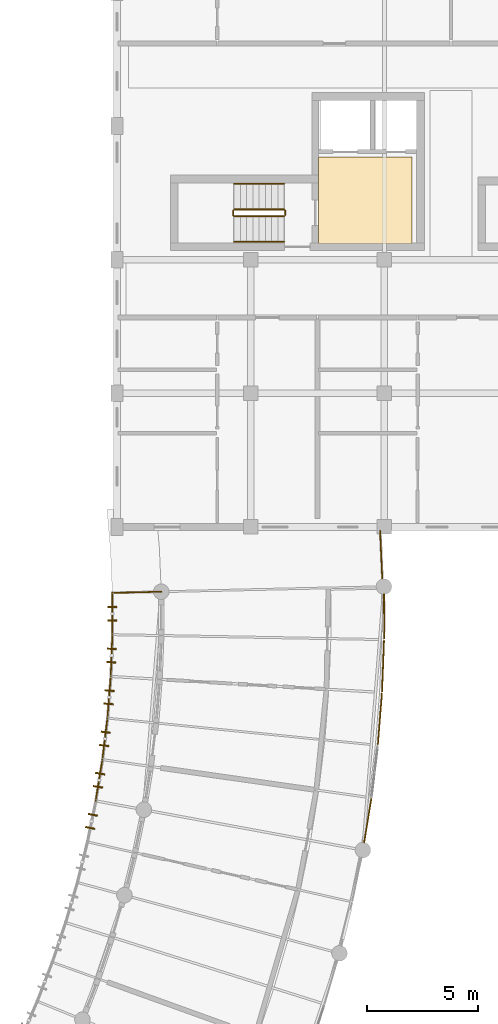
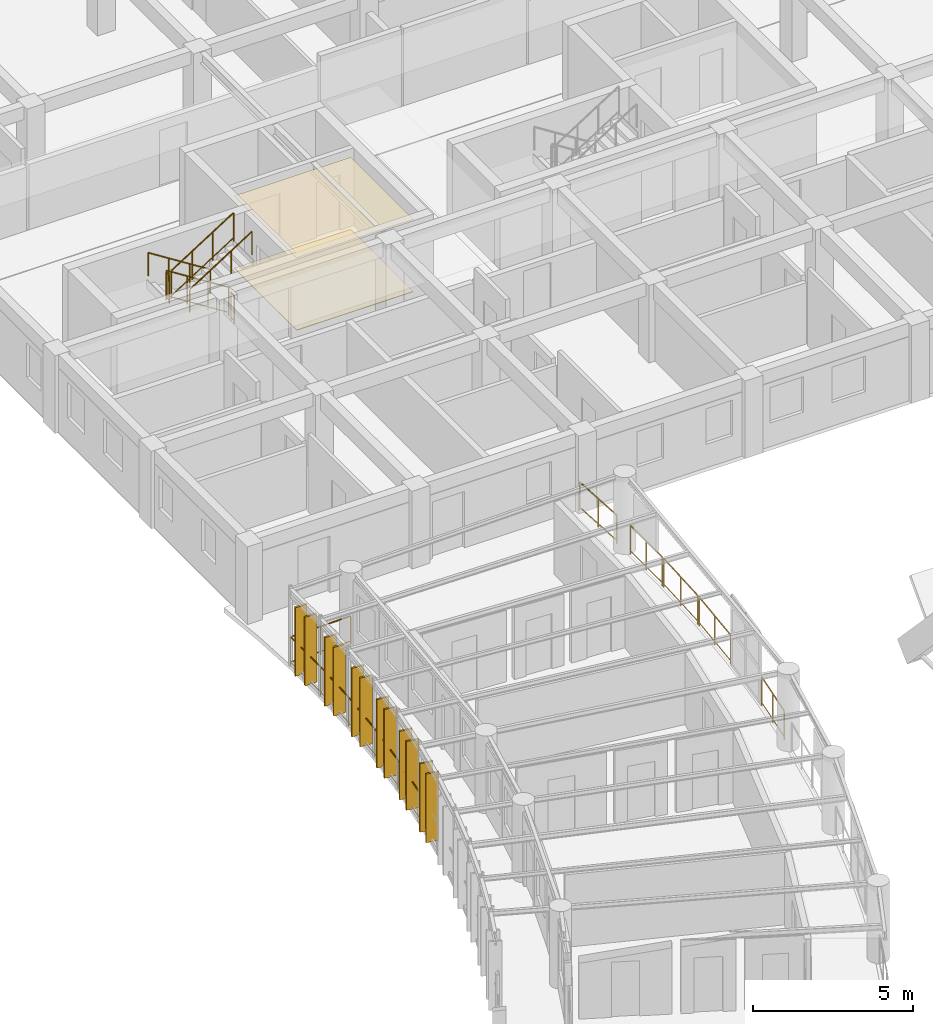
# One storey, part 116 of 123: 17 railings, 12 shading devices, 2 coverings.
"""IFC4 building model written with IfcOpenShell, lengths in metres."""

import ifcopenshell
import ifcopenshell.guid

model = None  # the IFC model being written
_history = None  # IfcOwnerHistory: only IFC2X3 demands one
_inside = {}  # id of a spatial element -> (the spatial element, [elements in it])
_under = {}  # id of a project, library or spatial element -> (it, [spatial elements below it])
_declared = {}  # id of a project -> (the project, [libraries it declares])
_typed = {}  # id of a type object -> (the type object, [elements of that type])
_made_of = {}  # id of a material, layer set ... -> (it, [elements and type objects made of it])


def new_model(schema):
    """Start an empty IFC model of exactly this schema.

    Asked for "IFC4X3", IfcOpenShell would pick the latest addendum, in which some entities
    have other attributes; the version numbers below select the first issue.
    IFC2X3 requires an IfcOwnerHistory on every rooted entity: one is made here for all.
    """
    global model, _history
    if schema == "IFC4X3":
        model = ifcopenshell.file(schema_version=(4, 3, 0, 0))
    else:
        model = ifcopenshell.file(schema=schema)
    _inside.clear()
    _under.clear()
    _declared.clear()
    _typed.clear()
    _made_of.clear()
    _history = None
    if model.schema == "IFC2X3":
        org = make("IfcOrganization", Name="unknown")
        user = make(
            "IfcPersonAndOrganization",
            ThePerson=make("IfcPerson", FamilyName="unknown"),
            TheOrganization=org,
        )
        app = make(
            "IfcApplication",
            ApplicationDeveloper=org,
            Version="unknown",
            ApplicationFullName="unknown",
            ApplicationIdentifier="unknown",
        )
        _history = make(
            "IfcOwnerHistory",
            OwningUser=user,
            OwningApplication=app,
            ChangeAction="ADDED",
            CreationDate=0,
        )
    return model


def make(cls, **values):
    """One entity of the class cls with the attributes given. An attribute that is None is left unset."""
    return model.create_entity(
        cls, **{name: value for name, value in values.items() if value is not None}
    )


def rooted(cls, **values):
    """An entity with a GlobalId (a new one), such as an element, a storey or a relation."""
    return make(cls, GlobalId=ifcopenshell.guid.new(), OwnerHistory=_history, **values)


def si_unit(unit_type, name, prefix=None):
    """IfcSIUnit, for example si_unit("LENGTHUNIT", "METRE", prefix="MILLI")."""
    return make("IfcSIUnit", UnitType=unit_type, Prefix=prefix, Name=name)


def assignment(units):
    """IfcUnitAssignment: the units of a project."""
    return None if units is None else make("IfcUnitAssignment", Units=units)


def point(xyz):
    """IfcCartesianPoint."""
    return None if xyz is None else make("IfcCartesianPoint", Coordinates=xyz)


def direction(xyz):
    """IfcDirection."""
    return None if xyz is None else make("IfcDirection", DirectionRatios=xyz)


def frame(location, z_axis=None, x_axis=None):
    """IfcAxis2Placement3D, a coordinate frame: its origin and axes. An axis left out is left unset."""
    return make(
        "IfcAxis2Placement3D",
        Location=point(location),
        Axis=direction(z_axis),
        RefDirection=direction(x_axis),
    )


def frame_2d(location, x_axis=None):
    """IfcAxis2Placement2D, a coordinate frame in the plane: its origin and x axis."""
    return make(
        "IfcAxis2Placement2D", Location=point(location), RefDirection=direction(x_axis)
    )


def origin():
    """The frame at (0, 0, 0) with its axes left unset."""
    return frame((0.0, 0.0, 0.0))


def origin_2d():
    """The frame at (0, 0) in the plane with its x axis left unset."""
    return frame_2d((0.0, 0.0))


def place(relative_to, where):
    """IfcLocalPlacement: puts the frame where relative to a parent placement (None: the world)."""
    return make(
        "IfcLocalPlacement", PlacementRelTo=relative_to, RelativePlacement=where
    )


def context(
    kind, dimensions, precision=None, world=None, true_north=None, identifier=None
):
    """IfcGeometricRepresentationContext, for example the 3D "Model" context."""
    return make(
        "IfcGeometricRepresentationContext",
        ContextIdentifier=identifier,
        ContextType=kind,
        CoordinateSpaceDimension=dimensions,
        Precision=precision,
        WorldCoordinateSystem=world,
        TrueNorth=true_north,
    )


def subcontext(parent, identifier, kind, view, scale=None):
    """IfcGeometricRepresentationSubContext, for example "Body" below "Model"."""
    return make(
        "IfcGeometricRepresentationSubContext",
        ContextIdentifier=identifier,
        ContextType=kind,
        ParentContext=parent,
        TargetScale=scale,
        TargetView=view,
    )


def project(units=None, contexts=None):
    """IfcProject with its units and contexts."""
    return rooted(
        "IfcProject",
        Name="project",
        RepresentationContexts=contexts,
        UnitsInContext=assignment(units),
    )


def spatial(cls, under=None, at=None, **own):
    """A site, building, storey or space (cls), placed at a placement, below another one or the project."""
    s = rooted(cls, ObjectPlacement=at, **own)
    if under is not None:
        _under.setdefault(under.id(), (under, []))[1].append(s)
    return s


def polyline(points):
    """IfcPolyline through the points."""
    return make("IfcPolyline", Points=[point(p) for p in points])


def profile(cls, at=None, kind="AREA", **sizes):
    """A parametric profile (cls). Its sizes go by their IFC names, for example OverallWidth=200.0."""
    return make(cls, ProfileType=kind, Position=at, **sizes)


def rectangle(**sizes):
    """IfcRectangleProfileDef."""
    return profile("IfcRectangleProfileDef", **sizes)


def circle(**sizes):
    """IfcCircleProfileDef."""
    return profile("IfcCircleProfileDef", **sizes)


def outline(outer, holes=None, kind="AREA"):
    """IfcArbitraryClosedProfileDef: a profile drawn as a closed curve; with holes, ...WithVoids."""
    if holes is None:
        return make("IfcArbitraryClosedProfileDef", ProfileType=kind, OuterCurve=outer)
    return make(
        "IfcArbitraryProfileDefWithVoids",
        ProfileType=kind,
        OuterCurve=outer,
        InnerCurves=holes,
    )


def extrude(swept, where, along, depth):
    """IfcExtrudedAreaSolid: the profile swept, set in the frame where, extruded along a direction by depth."""
    return make(
        "IfcExtrudedAreaSolid",
        SweptArea=swept,
        Position=where,
        ExtrudedDirection=direction(along),
        Depth=depth,
    )


def shape(context_of_items, identifier, shape_type, items):
    """IfcShapeRepresentation: the items that make up one representation, for example the "Body"."""
    return make(
        "IfcShapeRepresentation",
        ContextOfItems=context_of_items,
        RepresentationIdentifier=identifier,
        RepresentationType=shape_type,
        Items=items,
    )


def material(Name=None, Category=None):
    """IfcMaterial."""
    return make("IfcMaterial", Name=Name, Category=Category)


def layer(
    of_material, thickness, ventilated=None, Name=None, Category=None, Priority=None
):
    """IfcMaterialLayer: one layer of a wall or slab, of a material (None: an air gap)."""
    return make(
        "IfcMaterialLayer",
        Material=of_material,
        LayerThickness=thickness,
        IsVentilated=ventilated,
        Name=Name,
        Category=Category,
        Priority=Priority,
    )


def layer_set(layers, Name=None):
    """IfcMaterialLayerSet."""
    return make("IfcMaterialLayerSet", MaterialLayers=layers, LayerSetName=Name)


def made_of(thing, what):
    """Note that an element or type object is made of a material, layer set ...; save() writes the relation."""
    if what is not None:
        _made_of.setdefault(what.id(), (what, []))[1].append(thing)
    return thing


def type_object(cls, material=None, **own):
    """A type object (cls), such as IfcWallType, which elements share."""
    return made_of(rooted(cls, **own), material)


def element(
    cls,
    number,
    at=None,
    inside=None,
    cuts=None,
    type_object=None,
    material=None,
    context=None,
    identifier="Body",
    shape_type=None,
    held_by="IfcProductDefinitionShape",
    body=None,
    shapes=None,
    **own,
):
    """One element of the class cls, such as IfcWall. Its Tag is "e" and its number.

    at: its placement. inside: the storey or other place that contains it. cuts: it is an
    opening in that element (IfcRelVoidsElement). A single representation is given by context,
    identifier, shape_type and body (its items); several are given by shapes. held_by: the class
    of the entity that holds the representations. save() writes the other relations.
    """
    e = rooted(cls, Tag="e%d" % number, ObjectPlacement=at, **own)
    if body is not None:
        shapes = [shape(context, identifier, shape_type, body)]
    if shapes is not None:
        e.Representation = make(held_by, Representations=shapes)
    if inside is not None:
        _inside.setdefault(inside.id(), (inside, []))[1].append(e)
    if cuts is not None:
        rooted(
            "IfcRelVoidsElement", RelatingBuildingElement=cuts, RelatedOpeningElement=e
        )
    if type_object is not None:
        _typed.setdefault(type_object.id(), (type_object, []))[1].append(e)
    return made_of(e, material)


def aggregate(whole, parts):
    """IfcRelAggregates: a whole, such as a stair, and the parts it consists of."""
    return rooted("IfcRelAggregates", RelatingObject=whole, RelatedObjects=parts)


def save(model, path):
    """Write the relations noted so far, then the file.

    IfcRelAggregates (storeys below a building ...), IfcRelContainedInSpatialStructure (elements
    in a storey), IfcRelDefinesByType, IfcRelAssociatesMaterial and IfcRelDeclares: one each for
    every whole, place, type object, material and project.
    """
    for whole, parts in _under.values():
        aggregate(whole, parts)
    for where, things in _inside.values():
        rooted(
            "IfcRelContainedInSpatialStructure",
            RelatedElements=things,
            RelatingStructure=where,
        )
    for kind, things in _typed.values():
        rooted("IfcRelDefinesByType", RelatedObjects=things, RelatingType=kind)
    for what, things in _made_of.values():
        rooted("IfcRelAssociatesMaterial", RelatedObjects=things, RelatingMaterial=what)
    for by, libraries in _declared.values():
        rooted("IfcRelDeclares", RelatingContext=by, RelatedDefinitions=libraries)
    model.write(path)


model = new_model("IFC4")

# Units and contexts
model_context = context("Model", 3, precision=1e-05, world=origin(), true_north=direction((0.0, 1.0)))
body_context = subcontext(model_context, "Body", "Model", "MODEL_VIEW")
ifc_project = project(units=[si_unit("LENGTHUNIT", "METRE"), si_unit("AREAUNIT", "SQUARE_METRE"), si_unit("VOLUMEUNIT", "CUBIC_METRE"), si_unit("PLANEANGLEUNIT", "RADIAN"), si_unit("MASSUNIT", "GRAM", prefix="KILO"), si_unit("POWERUNIT", "WATT"), si_unit("THERMODYNAMICTEMPERATUREUNIT", "KELVIN")], contexts=[model_context])

# Site, building, storey
site_placement = place(None, origin())
site = spatial("IfcSite", under=ifc_project, at=site_placement, CompositionType="ELEMENT")
building_placement = place(site_placement, origin())
building = spatial("IfcBuilding", under=site, at=building_placement, Name="Ruvembo Vaulted Housing Court", CompositionType="ELEMENT")
storey_placement = place(building_placement, frame((0.0, 0.0, 7.699951171875)))
storey = spatial("IfcBuildingStorey", under=building, at=storey_placement, Name="L02", CompositionType="ELEMENT", Elevation=7.699951171875)

# Coverings
ifc_material_1 = material(Name="Perforated Mineral-Fibre Acoustic Tile", Category="gypsum")
ifc_layer_1 = layer(ifc_material_1, 0.02001953125, Name="Perforated Mineral-Fibre Acoustic Tile")
ifc_layer_set_1 = layer_set([ifc_layer_1], Name="Perforated Mineral-Fibre Acoustic Tile")
covering_type_1 = type_object("IfcCoveringType", Name="COV-CEIL-ACOUST", PredefinedType="CEILING", material=ifc_layer_set_1)
covering_1_placement = place(storey_placement, frame((0.0, 0.0, 2.75)))
element("IfcCovering", 1, at=covering_1_placement, inside=storey, type_object=covering_type_1, Name="Protected Core Lobby B1 Ceiling", PredefinedType="CEILING", context=body_context, shape_type="SweptSolid", body=[
    extrude(outline(polyline([(61.25, 94.60009765625), (57.050048828125, 94.60009765625), (57.050048828125, 90.699951171875), (61.25, 90.699951171875), (61.25, 94.60009765625)])), origin(), (0.0, 0.0, 1.0), 0.02001953125),
])
ifc_material_2 = material(Name="Polished Cement-Aggregate Terrazzo", Category="stone")
ifc_layer_2 = layer(ifc_material_2, 0.02197265625, Name="Polished Cement-Aggregate Terrazzo")
ifc_layer_set_2 = layer_set([ifc_layer_2], Name="Polished Cement-Aggregate Terrazzo")
covering_type_2 = type_object("IfcCoveringType", Name="COV-FLR-CERAMIC", PredefinedType="FLOORING", material=ifc_layer_set_2)
covering_2_placement = place(storey_placement, origin())
element("IfcCovering", 2, at=covering_2_placement, inside=storey, type_object=covering_type_2, Name="Protected Core Lobby B1 Flooring", PredefinedType="FLOORING", context=body_context, shape_type="SweptSolid", body=[
    extrude(outline(polyline([(61.25, 94.60009765625), (57.050048828125, 94.60009765625), (57.050048828125, 90.699951171875), (61.25, 90.699951171875), (61.25, 94.60009765625)])), origin(), (0.0, 0.0, 1.0), 0.02197265625),
])

# Railings
ifc_material_3 = material(Name="Galvanised Painted Steel and Laminated Glass", Category="steel")
ifc_layer_3 = layer(ifc_material_3, 0.070068359375, Name="Galvanised Painted Steel and Laminated Glass")
ifc_layer_set_3 = layer_set([ifc_layer_3], Name="Galvanised Painted Steel and Laminated Glass")
railing_type_1 = type_object("IfcRailingType", Name="RL-BALUST-1120", PredefinedType="BALUSTRADE", material=ifc_layer_set_3)
railing_1_placement = place(storey_placement, frame((59.09716796875, 63.8408203125, 0.0)))
element("IfcRailing", 3, at=railing_1_placement, inside=storey, type_object=railing_type_1, Name="L02 Perimeter Guard RL-EXT-L02-0084", PredefinedType="BALUSTRADE", context=body_context, shape_type="SweptSolid", body=[
    extrude(circle(Radius=0.02392578125, at=origin_2d()), frame((0.0, 0.0, 1.09619140625), z_axis=(0.160952647664, 0.986962129572, 0.0), x_axis=(-0.986962129572, 0.160952647664, 0.0)), (0.0, 0.0, 1.0), 1.9765625),
    extrude(circle(Radius=0.01806640625, at=origin_2d()), frame((0.0, 0.0, 0.1201171875), z_axis=(0.160952647664, 0.986962129572, 0.0), x_axis=(-0.986962129572, 0.160952647664, 0.0)), (0.0, 0.0, 1.0), 1.9765625),
    extrude(circle(Radius=0.02099609375, at=origin_2d()), origin(), (0.0, 0.0, 1.0), 1.072021484375),
    extrude(circle(Radius=0.02099609375, at=origin_2d()), frame((0.1591796875, 0.975341796875, 0.0)), (0.0, 0.0, 1.0), 1.072021484375),
    extrude(circle(Radius=0.02099609375, at=origin_2d()), frame((0.318115234375, 1.95068359375, 0.0)), (0.0, 0.0, 1.0), 1.072021484375),
])
railing_2_placement = place(storey_placement, frame((59.71337890625, 68.249755859375, 0.0)))
element("IfcRailing", 4, at=railing_2_placement, inside=storey, type_object=railing_type_1, Name="L02 Perimeter Guard RL-EXT-L02-0085", PredefinedType="BALUSTRADE", context=body_context, shape_type="SweptSolid", body=[
    extrude(circle(Radius=0.02392578125, at=origin_2d()), frame((0.0, 0.0, 1.09619140625), z_axis=(0.079459662102, 0.996838082187, 0.0), x_axis=(-0.996838082187, 0.079459662102, 0.0)), (0.0, 0.0, 1.0), 2.276611328125),
    extrude(circle(Radius=0.01806640625, at=origin_2d()), frame((0.0, 0.0, 0.1201171875), z_axis=(0.079459662102, 0.996838082187, 0.0), x_axis=(-0.996838082187, 0.079459662102, 0.0)), (0.0, 0.0, 1.0), 2.276611328125),
    extrude(circle(Radius=0.02099609375, at=origin_2d()), origin(), (0.0, 0.0, 1.0), 1.072021484375),
    extrude(circle(Radius=0.02099609375, at=origin_2d()), frame((0.09033203125, 1.134765625, 0.0)), (0.0, 0.0, 1.0), 1.072021484375),
    extrude(circle(Radius=0.02099609375, at=origin_2d()), frame((0.180908203125, 2.26953125, 0.0)), (0.0, 0.0, 1.0), 1.072021484375),
])
railing_3_placement = place(storey_placement, frame((59.900390625, 70.618896484375, 0.0)))
element("IfcRailing", 5, at=railing_3_placement, inside=storey, type_object=railing_type_1, Name="L02 Perimeter Guard RL-EXT-L02-0086", PredefinedType="BALUSTRADE", context=body_context, shape_type="SweptSolid", body=[
    extrude(circle(Radius=0.02392578125, at=origin_2d()), frame((0.0, 0.0, 1.09619140625), z_axis=(0.038713176798, 0.999250363994, 0.0), x_axis=(-0.999250363994, 0.038713176798, 0.0)), (0.0, 0.0, 1.0), 2.276611328125),
    extrude(circle(Radius=0.01806640625, at=origin_2d()), frame((0.0, 0.0, 0.1201171875), z_axis=(0.038713176798, 0.999250363994, 0.0), x_axis=(-0.999250363994, 0.038713176798, 0.0)), (0.0, 0.0, 1.0), 2.276611328125),
    extrude(circle(Radius=0.02099609375, at=origin_2d()), origin(), (0.0, 0.0, 1.0), 1.072021484375),
    extrude(circle(Radius=0.02099609375, at=origin_2d()), frame((0.0439453125, 1.137451171875, 0.0)), (0.0, 0.0, 1.0), 1.072021484375),
    extrude(circle(Radius=0.02099609375, at=origin_2d()), frame((0.088134765625, 2.27490234375, 0.0)), (0.0, 0.0, 1.0), 1.072021484375),
])
railing_4_placement = place(storey_placement, frame((59.990234375, 72.993896484375, 0.0)))
element("IfcRailing", 6, at=railing_4_placement, inside=storey, type_object=railing_type_1, Name="L02 Perimeter Guard RL-EXT-L02-0087", PredefinedType="BALUSTRADE", context=body_context, shape_type="SweptSolid", body=[
    extrude(circle(Radius=0.02392578125, at=origin_2d()), frame((0.0, 0.0, 1.09619140625), z_axis=(-0.002223589314, 0.999997527822, 0.0), x_axis=(-0.999997527822, -0.002223589314, 0.0)), (0.0, 0.0, 1.0), 1.976318359375),
    extrude(circle(Radius=0.01806640625, at=origin_2d()), frame((0.0, 0.0, 0.1201171875), z_axis=(-0.002223589314, 0.999997527822, 0.0), x_axis=(-0.999997527822, -0.002223589314, 0.0)), (0.0, 0.0, 1.0), 1.976318359375),
    extrude(circle(Radius=0.02099609375, at=origin_2d()), origin(), (0.0, 0.0, 1.0), 1.072021484375),
    extrude(circle(Radius=0.02099609375, at=origin_2d()), frame((-0.002197265625, 0.98828125, 0.0)), (0.0, 0.0, 1.0), 1.072021484375),
    extrude(circle(Radius=0.02099609375, at=origin_2d()), frame((-0.00439453125, 1.976318359375, 0.0)), (0.0, 0.0, 1.0), 1.072021484375),
])
ifc_material_4 = material(Name="Galvanised Painted Steel S275", Category="steel")
ifc_layer_4 = layer(ifc_material_4, 0.06005859375, Name="Galvanised Painted Steel S275")
ifc_layer_set_4 = layer_set([ifc_layer_4], Name="Galvanised Painted Steel S275")
railing_type_2 = type_object("IfcRailingType", Name="RL-GUARD-1100", PredefinedType="GUARDRAIL", material=ifc_layer_set_4)
railing_5_placement = place(storey_placement, frame((47.04248046875, 65.704833984375, 0.0)))
element("IfcRailing", 7, at=railing_5_placement, inside=storey, type_object=railing_type_2, Name="L02 Perimeter Guard RL-EXT-L02-0067", PredefinedType="GUARDRAIL", context=body_context, shape_type="SweptSolid", body=[
    extrude(circle(Radius=0.02392578125, at=origin_2d()), frame((0.0, 0.0, 1.076171875), z_axis=(0.16093792822, 0.98696452989, 0.0), x_axis=(-0.98696452989, 0.16093792822, 0.0)), (0.0, 0.0, 1.0), 1.87646484375),
    extrude(circle(Radius=0.01806640625, at=origin_2d()), frame((0.0, 0.0, 0.1201171875), z_axis=(0.16093792822, 0.98696452989, 0.0), x_axis=(-0.98696452989, 0.16093792822, 0.0)), (0.0, 0.0, 1.0), 1.87646484375),
    extrude(circle(Radius=0.02099609375, at=origin_2d()), origin(), (0.0, 0.0, 1.0), 1.052001953125),
    extrude(circle(Radius=0.02099609375, at=origin_2d()), frame((0.15087890625, 0.926025390625, 0.0)), (0.0, 0.0, 1.0), 1.052001953125),
    extrude(circle(Radius=0.02099609375, at=origin_2d()), frame((0.302001953125, 1.85205078125, 0.0)), (0.0, 0.0, 1.0), 1.052001953125),
])
railing_6_placement = place(storey_placement, frame((47.344482421875, 67.556884765625, 0.0)))
element("IfcRailing", 8, at=railing_6_placement, inside=storey, type_object=railing_type_2, Name="L02 Perimeter Guard RL-EXT-L02-0068", PredefinedType="GUARDRAIL", context=body_context, shape_type="SweptSolid", body=[
    extrude(circle(Radius=0.02392578125, at=origin_2d()), frame((0.0, 0.0, 1.076171875), z_axis=(0.120335252624, 0.992733311104, 0.0), x_axis=(-0.992733311104, 0.120335252624, 0.0)), (0.0, 0.0, 1.0), 1.876708984375),
    extrude(circle(Radius=0.01806640625, at=origin_2d()), frame((0.0, 0.0, 0.1201171875), z_axis=(0.120335252624, 0.992733311104, 0.0), x_axis=(-0.992733311104, 0.120335252624, 0.0)), (0.0, 0.0, 1.0), 1.876708984375),
    extrude(circle(Radius=0.02099609375, at=origin_2d()), origin(), (0.0, 0.0, 1.0), 1.052001953125),
    extrude(circle(Radius=0.02099609375, at=origin_2d()), frame((0.11279296875, 0.931640625, 0.0)), (0.0, 0.0, 1.0), 1.052001953125),
    extrude(circle(Radius=0.02099609375, at=origin_2d()), frame((0.225830078125, 1.863037109375, 0.0)), (0.0, 0.0, 1.0), 1.052001953125),
])
railing_7_placement = place(storey_placement, frame((47.5703125, 69.419921875, 0.0)))
element("IfcRailing", 9, at=railing_7_placement, inside=storey, type_object=railing_type_2, Name="L02 Perimeter Guard RL-EXT-L02-0069", PredefinedType="GUARDRAIL", context=body_context, shape_type="SweptSolid", body=[
    extrude(circle(Radius=0.02392578125, at=origin_2d()), frame((0.0, 0.0, 1.076171875), z_axis=(0.079610795565, 0.996826023552, 0.0), x_axis=(-0.996826023552, 0.079610795565, 0.0)), (0.0, 0.0, 1.0), 1.876708984375),
    extrude(circle(Radius=0.01806640625, at=origin_2d()), frame((0.0, 0.0, 0.1201171875), z_axis=(0.079610795565, 0.996826023552, 0.0), x_axis=(-0.996826023552, 0.079610795565, 0.0)), (0.0, 0.0, 1.0), 1.876708984375),
    extrude(circle(Radius=0.02099609375, at=origin_2d()), origin(), (0.0, 0.0, 1.0), 1.052001953125),
    extrude(circle(Radius=0.02099609375, at=origin_2d()), frame((0.07470703125, 0.935546875, 0.0)), (0.0, 0.0, 1.0), 1.052001953125),
    extrude(circle(Radius=0.02099609375, at=origin_2d()), frame((0.1494140625, 1.870849609375, 0.0)), (0.0, 0.0, 1.0), 1.052001953125),
])
railing_8_placement = place(storey_placement, frame((47.7197265625, 71.290771484375, 0.0)))
element("IfcRailing", 10, at=railing_8_placement, inside=storey, type_object=railing_type_2, Name="L02 Perimeter Guard RL-EXT-L02-0070", PredefinedType="GUARDRAIL", context=body_context, shape_type="SweptSolid", body=[
    extrude(circle(Radius=0.02392578125, at=origin_2d()), frame((0.0, 0.0, 1.076171875), z_axis=(0.038767865725, 0.999248243725, 0.0), x_axis=(-0.999248243725, 0.038767865725, 0.0)), (0.0, 0.0, 1.0), 1.876708984375),
    extrude(circle(Radius=0.01806640625, at=origin_2d()), frame((0.0, 0.0, 0.1201171875), z_axis=(0.038767865725, 0.999248243725, 0.0), x_axis=(-0.999248243725, 0.038767865725, 0.0)), (0.0, 0.0, 1.0), 1.876708984375),
    extrude(circle(Radius=0.02099609375, at=origin_2d()), origin(), (0.0, 0.0, 1.0), 1.052001953125),
    extrude(circle(Radius=0.02099609375, at=origin_2d()), frame((0.036376953125, 0.9375, 0.0)), (0.0, 0.0, 1.0), 1.052001953125),
    extrude(circle(Radius=0.02099609375, at=origin_2d()), frame((0.07275390625, 1.875244140625, 0.0)), (0.0, 0.0, 1.0), 1.052001953125),
])
railing_9_placement = place(storey_placement, frame((47.79248046875, 73.166015625, 0.0)))
element("IfcRailing", 11, at=railing_9_placement, inside=storey, type_object=railing_type_2, Name="L02 Perimeter Guard RL-EXT-L02-0071", PredefinedType="GUARDRAIL", context=body_context, shape_type="SweptSolid", body=[
    extrude(circle(Radius=0.02392578125, at=origin_2d()), frame((0.0, 0.0, 1.076171875), z_axis=(-0.002341913952, 0.999997257716, 0.0), x_axis=(-0.999997257716, -0.002341913952, 0.0)), (0.0, 0.0, 1.0), 1.87646484375),
    extrude(circle(Radius=0.01806640625, at=origin_2d()), frame((0.0, 0.0, 0.1201171875), z_axis=(-0.002341913952, 0.999997257716, 0.0), x_axis=(-0.999997257716, -0.002341913952, 0.0)), (0.0, 0.0, 1.0), 1.87646484375),
    extrude(circle(Radius=0.02099609375, at=origin_2d()), origin(), (0.0, 0.0, 1.0), 1.052001953125),
    extrude(circle(Radius=0.02099609375, at=origin_2d()), frame((-0.002197265625, 0.938232421875, 0.0)), (0.0, 0.0, 1.0), 1.052001953125),
    extrude(circle(Radius=0.02099609375, at=origin_2d()), frame((-0.00439453125, 1.87646484375, 0.0)), (0.0, 0.0, 1.0), 1.052001953125),
])
railing_10_placement = place(storey_placement, frame((47.7880859375, 75.04248046875, 0.0)))
element("IfcRailing", 12, at=railing_10_placement, inside=storey, type_object=railing_type_2, Name="L02 Perimeter Guard RL-EXT-L02-0072", PredefinedType="GUARDRAIL", context=body_context, shape_type="SweptSolid", body=[
    extrude(circle(Radius=0.02392578125, at=origin_2d()), frame((0.0, 0.0, 1.076171875), z_axis=(0.999741204967, 0.022749133868, 0.0), x_axis=(-0.022749133868, 0.999741204967, 0.0)), (0.0, 0.0, 1.0), 2.199951171875),
    extrude(circle(Radius=0.01806640625, at=origin_2d()), frame((0.0, 0.0, 0.1201171875), z_axis=(0.999741204967, 0.022749133868, 0.0), x_axis=(-0.022749133868, 0.999741204967, 0.0)), (0.0, 0.0, 1.0), 2.199951171875),
    extrude(circle(Radius=0.02099609375, at=origin_2d()), origin(), (0.0, 0.0, 1.0), 1.052001953125),
    extrude(circle(Radius=0.02099609375, at=origin_2d()), frame((1.099609375, 0.02490234375, 0.0)), (0.0, 0.0, 1.0), 1.052001953125),
    extrude(circle(Radius=0.02099609375, at=origin_2d()), frame((2.199462890625, 0.050048828125, 0.0)), (0.0, 0.0, 1.0), 1.052001953125),
])
railing_11_placement = place(storey_placement, frame((59.81103515625, 77.824951171875, 0.0)))
element("IfcRailing", 13, at=railing_11_placement, inside=storey, type_object=railing_type_2, Name="L02 Perimeter Guard RL-EXT-L02-0891", PredefinedType="GUARDRAIL", context=body_context, shape_type="SweptSolid", body=[
    extrude(circle(Radius=0.02392578125, at=origin_2d()), frame((0.0, 0.0, 1.076171875), z_axis=(0.045754430585, -0.998952717641, 0.0), x_axis=(0.998952717641, 0.045754430585, 0.0)), (0.0, 0.0, 1.0), 2.1396484375),
    extrude(circle(Radius=0.01806640625, at=origin_2d()), frame((0.0, 0.0, 0.1201171875), z_axis=(0.045754430585, -0.998952717641, 0.0), x_axis=(0.998952717641, 0.045754430585, 0.0)), (0.0, 0.0, 1.0), 2.1396484375),
    extrude(circle(Radius=0.02099609375, at=origin_2d()), origin(), (0.0, 0.0, 1.0), 1.052001953125),
    extrude(circle(Radius=0.02099609375, at=origin_2d()), frame((0.048828125, -1.06884765625, 0.0)), (0.0, 0.0, 1.0), 1.052001953125),
    extrude(circle(Radius=0.02099609375, at=origin_2d()), frame((0.097900390625, -2.137451171875, 0.0)), (0.0, 0.0, 1.0), 1.052001953125),
])
ifc_material_5 = material(Name="Painted Galvanised Steel S275", Category="steel")
ifc_layer_5 = layer(ifc_material_5, 0.06005859375, Name="Painted Galvanised Steel S275")
ifc_layer_set_5 = layer_set([ifc_layer_5], Name="Painted Galvanised Steel S275")
railing_type_3 = type_object("IfcRailingType", Name="RL-STAIR-GR1100", PredefinedType="GUARDRAIL", material=ifc_layer_set_5)
railing_12_placement = place(storey_placement, frame((55.5, 92.25, 0.177734375)))
element("IfcRailing", 14, at=railing_12_placement, inside=storey, type_object=railing_type_3, Name="L02 ST-B1 stair guard 1", PredefinedType="GUARDRAIL", context=body_context, shape_type="SweptSolid", body=[
    extrude(circle(Radius=0.02392578125, at=origin_2d()), frame((0.0, 0.0, 1.076171875), z_axis=(-0.84418770128, 0.0, 0.536047689118), x_axis=(0.0, -1.0, 0.0)), (0.0, 0.0, 1.0), 2.6533203125),
    extrude(circle(Radius=0.01806640625, at=origin_2d()), frame((0.0, 0.0, 0.1201171875), z_axis=(-0.84418770128, 0.0, 0.536047689118), x_axis=(0.0, -1.0, 0.0)), (0.0, 0.0, 1.0), 2.6533203125),
    extrude(circle(Radius=0.02099609375, at=origin_2d()), origin(), (0.0, 0.0, 1.0), 1.052001953125),
    extrude(circle(Radius=0.02099609375, at=origin_2d()), frame((-0.74658203125, 0.0, 0.47412109375)), (0.0, 0.0, 1.0), 1.052001953125),
    extrude(circle(Radius=0.02099609375, at=origin_2d()), frame((-1.493408203125, 0.0, 0.9482421875)), (0.0, 0.0, 1.0), 1.052001953125),
    extrude(circle(Radius=0.02099609375, at=origin_2d()), frame((-2.239990234375, 0.0, 1.42236328125)), (0.0, 0.0, 1.0), 1.052001953125),
])
railing_13_placement = place(storey_placement, frame((53.2099609375, 92.199951171875, 1.60009765625)))
element("IfcRailing", 15, at=railing_13_placement, inside=storey, type_object=railing_type_3, Name="L02 ST-B1 stair guard 2", PredefinedType="GUARDRAIL", context=body_context, shape_type="SweptSolid", body=[
    extrude(circle(Radius=0.02392578125, at=origin_2d()), frame((0.0, 0.0, 1.076171875), z_axis=(0.0, -1.0, 0.0), x_axis=(1.0, 0.0, 0.0)), (0.0, 0.0, 1.0), 0.199951171875),
    extrude(circle(Radius=0.01806640625, at=origin_2d()), frame((0.0, 0.0, 0.1201171875), z_axis=(0.0, -1.0, 0.0), x_axis=(1.0, 0.0, 0.0)), (0.0, 0.0, 1.0), 0.199951171875),
    extrude(circle(Radius=0.02099609375, at=origin_2d()), origin(), (0.0, 0.0, 1.0), 1.052001953125),
    extrude(circle(Radius=0.02099609375, at=origin_2d()), frame((0.0, -0.199951171875, 0.0)), (0.0, 0.0, 1.0), 1.052001953125),
])
railing_14_placement = place(storey_placement, frame((53.260009765625, 91.949951171875, 1.77783203125)))
element("IfcRailing", 16, at=railing_14_placement, inside=storey, type_object=railing_type_3, Name="L02 ST-B1 stair guard 3", PredefinedType="GUARDRAIL", context=body_context, shape_type="SweptSolid", body=[
    extrude(circle(Radius=0.02392578125, at=origin_2d()), frame((0.0, 0.0, 1.076171875), z_axis=(0.8442293374, 0.0, 0.53598211339), x_axis=(0.0, 1.0, 0.0)), (0.0, 0.0, 1.0), 2.6533203125),
    extrude(circle(Radius=0.01806640625, at=origin_2d()), frame((0.0, 0.0, 0.1201171875), z_axis=(0.8442293374, 0.0, 0.53598211339), x_axis=(0.0, 1.0, 0.0)), (0.0, 0.0, 1.0), 2.6533203125),
    extrude(circle(Radius=0.02099609375, at=origin_2d()), origin(), (0.0, 0.0, 1.0), 1.052001953125),
    extrude(circle(Radius=0.02099609375, at=origin_2d()), frame((0.74658203125, 0.0, 0.47412109375)), (0.0, 0.0, 1.0), 1.052001953125),
    extrude(circle(Radius=0.02099609375, at=origin_2d()), frame((1.493408203125, 0.0, 0.947998046875)), (0.0, 0.0, 1.0), 1.052001953125),
    extrude(circle(Radius=0.02099609375, at=origin_2d()), frame((2.239990234375, 0.0, 1.422119140625)), (0.0, 0.0, 1.0), 1.052001953125),
])
railing_15_placement = place(storey_placement, frame((55.550048828125, 92.199951171875, 0.0)))
element("IfcRailing", 17, at=railing_15_placement, inside=storey, type_object=railing_type_3, Name="L02 ST-B1 stair guard 4", PredefinedType="GUARDRAIL", context=body_context, shape_type="SweptSolid", body=[
    extrude(circle(Radius=0.02392578125, at=origin_2d()), frame((0.0, 0.0, 1.076171875), z_axis=(0.0, -1.0, 0.0), x_axis=(1.0, 0.0, 0.0)), (0.0, 0.0, 1.0), 0.199951171875),
    extrude(circle(Radius=0.01806640625, at=origin_2d()), frame((0.0, 0.0, 0.1201171875), z_axis=(0.0, -1.0, 0.0), x_axis=(1.0, 0.0, 0.0)), (0.0, 0.0, 1.0), 0.199951171875),
    extrude(circle(Radius=0.02099609375, at=origin_2d()), origin(), (0.0, 0.0, 1.0), 1.052001953125),
    extrude(circle(Radius=0.02099609375, at=origin_2d()), frame((0.0, -0.199951171875, 0.0)), (0.0, 0.0, 1.0), 1.052001953125),
])
ifc_material_6 = material(Name="Brushed Stainless Steel 304", Category="steel")
ifc_layer_6 = layer(ifc_material_6, 0.050048828125, Name="Brushed Stainless Steel 304")
ifc_layer_set_6 = layer_set([ifc_layer_6], Name="Brushed Stainless Steel 304")
railing_type_4 = type_object("IfcRailingType", Name="RL-STAIR-HR920", PredefinedType="HANDRAIL", material=ifc_layer_set_6)
railing_16_placement = place(storey_placement, frame((55.5, 93.39990234375, 0.359375)))
element("IfcRailing", 18, at=railing_16_placement, inside=storey, type_object=railing_type_4, Name="L02 ST-B1 stair handrail 1", PredefinedType="HANDRAIL", context=body_context, shape_type="SweptSolid", body=[
    extrude(circle(Radius=0.02392578125, at=origin_2d()), frame((0.0, 0.0, 0.8759765625), z_axis=(-0.8442293374, 0.0, 0.53598211339), x_axis=(0.0, -1.0, 0.0)), (0.0, 0.0, 1.0), 2.6533203125),
    extrude(circle(Radius=0.02099609375, at=origin_2d()), origin(), (0.0, 0.0, 1.0), 0.851806640625),
    extrude(circle(Radius=0.02099609375, at=origin_2d()), frame((-0.74658203125, 0.0, 0.47412109375)), (0.0, 0.0, 1.0), 0.851806640625),
    extrude(circle(Radius=0.02099609375, at=origin_2d()), frame((-1.493408203125, 0.0, 0.947998046875)), (0.0, 0.0, 1.0), 0.851806640625),
    extrude(circle(Radius=0.02099609375, at=origin_2d()), frame((-2.239990234375, 0.0, 1.422119140625)), (0.0, 0.0, 1.0), 0.851806640625),
])
railing_17_placement = place(storey_placement, frame((53.260009765625, 90.800048828125, 1.959228515625)))
element("IfcRailing", 19, at=railing_17_placement, inside=storey, type_object=railing_type_4, Name="L02 ST-B1 stair handrail 2", PredefinedType="HANDRAIL", context=body_context, shape_type="SweptSolid", body=[
    extrude(circle(Radius=0.02392578125, at=origin_2d()), frame((0.0, 0.0, 0.8759765625), z_axis=(0.84418770128, 0.0, 0.536047689118), x_axis=(0.0, 1.0, 0.0)), (0.0, 0.0, 1.0), 2.6533203125),
    extrude(circle(Radius=0.02099609375, at=origin_2d()), origin(), (0.0, 0.0, 1.0), 0.851806640625),
    extrude(circle(Radius=0.02099609375, at=origin_2d()), frame((0.74658203125, 0.0, 0.47412109375)), (0.0, 0.0, 1.0), 0.851806640625),
    extrude(circle(Radius=0.02099609375, at=origin_2d()), frame((1.493408203125, 0.0, 0.9482421875)), (0.0, 0.0, 1.0), 0.851806640625),
    extrude(circle(Radius=0.02099609375, at=origin_2d()), frame((2.239990234375, 0.0, 1.42236328125)), (0.0, 0.0, 1.0), 0.851806640625),
])

# Shading devices
ifc_material_7 = material(Name="Kiln-Fired Terracotta Extrusion", Category="masonry")
shading_device_type = type_object("IfcShadingDeviceType", Name="SHD-FIN-420", PredefinedType="USERDEFINED", material=ifc_material_7)
for number, where, z_axis, x_axis, name in (
    (20, (46.793212890625, 64.491943359375, 0.0498046875), (0.0, 0.0, 1.0), (0.979547164277, -0.201214693692, 0.0), "Terracotta Brise-Soleil Fin #65"),
    (21, (46.9140625, 65.07958984375, 0.0498046875), (0.0, 0.0, 1.0), (0.979547164277, -0.201214693692, 0.0), "Terracotta Brise-Soleil Fin #66"),
    (22, (47.145263671875, 66.3349609375, 0.0498046875), (0.0, 0.0, 1.0), (0.986957060278, -0.160983729511, 0.0), "Terracotta Brise-Soleil Fin #67"),
    (23, (47.24169921875, 66.927001953125, 0.0498046875), (0.0, 0.0, 1.0), (0.986957060278, -0.160983729511, 0.0), "Terracotta Brise-Soleil Fin #68"),
    (24, (47.42138671875, 68.190673828125, 0.0498046875), (0.0, 0.0, 1.0), (0.992734259016, -0.120327432347, 0.0), "Terracotta Brise-Soleil Fin #69"),
    (25, (47.49365234375, 68.786376953125, 0.0498046875), (0.0, 0.0, 1.0), (0.992734259016, -0.120327432347, 0.0), "Terracotta Brise-Soleil Fin #70"),
    (26, (47.62109375, 70.056396484375, 0.0498046875), (0.0, 0.0, 1.0), (0.996826293951, -0.079607409749, 0.0), "Terracotta Brise-Soleil Fin #71"),
    (27, (47.6689453125, 70.654296875, 0.0498046875), (0.0, 0.0, 1.0), (0.996826293951, -0.079607409749, 0.0), "Terracotta Brise-Soleil Fin #72"),
    (28, (47.744384765625, 71.928466796875, 0.0498046875), (0.0, 0.0, 1.0), (0.999251482534, -0.038684294669, 0.0), "Terracotta Brise-Soleil Fin #73"),
    (29, (47.767578125, 72.528076171875, 0.0498046875), (0.0, 0.0, 1.0), (0.999251482534, -0.038684294669, 0.0), "Terracotta Brise-Soleil Fin #74"),
    (30, (47.791015625, 73.80419921875, 0.0498046875), (0.0, 0.0, 1.0), (0.999997386231, 0.002286379328, 0.0), "Terracotta Brise-Soleil Fin #75"),
    (31, (47.78955078125, 74.404296875, 0.0498046875), (0.0, 0.0, 1.0), (0.999997386231, 0.002286379328, 0.0), "Terracotta Brise-Soleil Fin #76"),
):
    element("IfcShadingDevice", number, at=place(storey_placement, frame(where, z_axis=z_axis, x_axis=x_axis)), inside=storey, type_object=shading_device_type, Name=name, ObjectType="FIN", PredefinedType="USERDEFINED", context=body_context, shape_type="SweptSolid", body=[
        extrude(rectangle(XDim=0.419921875, YDim=0.06494140625, at=origin_2d()), origin(), (0.0, 0.0, 1.0), 2.613037109375),
    ])

save(model, "model.ifc")
